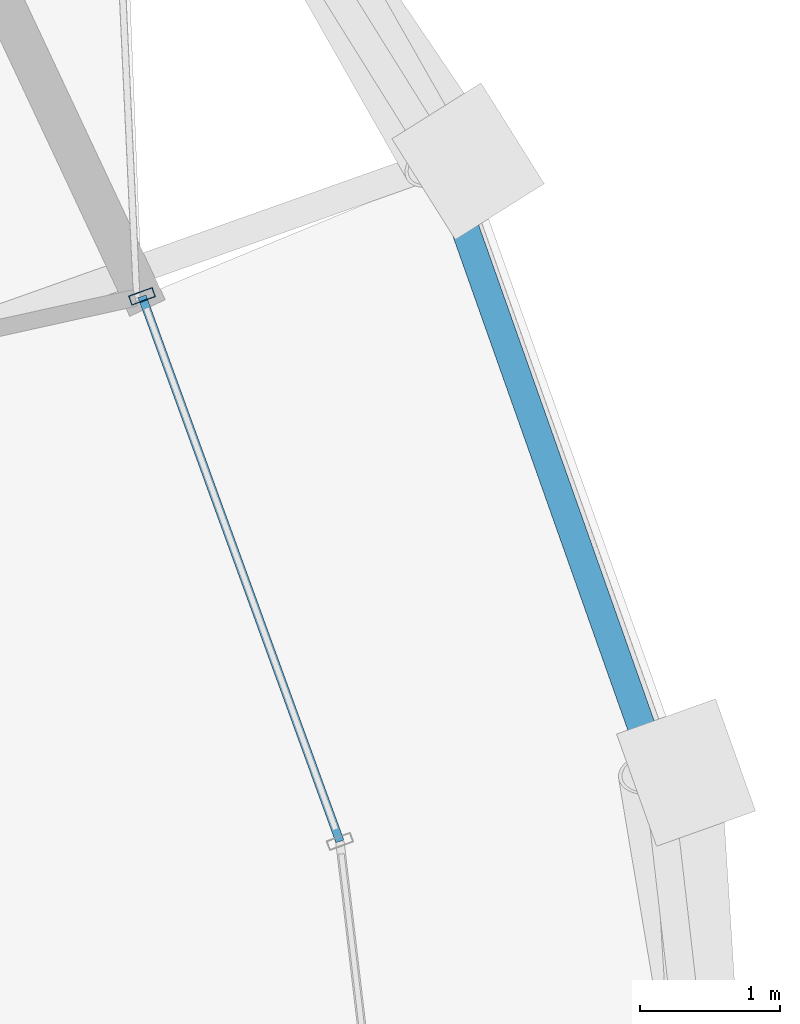
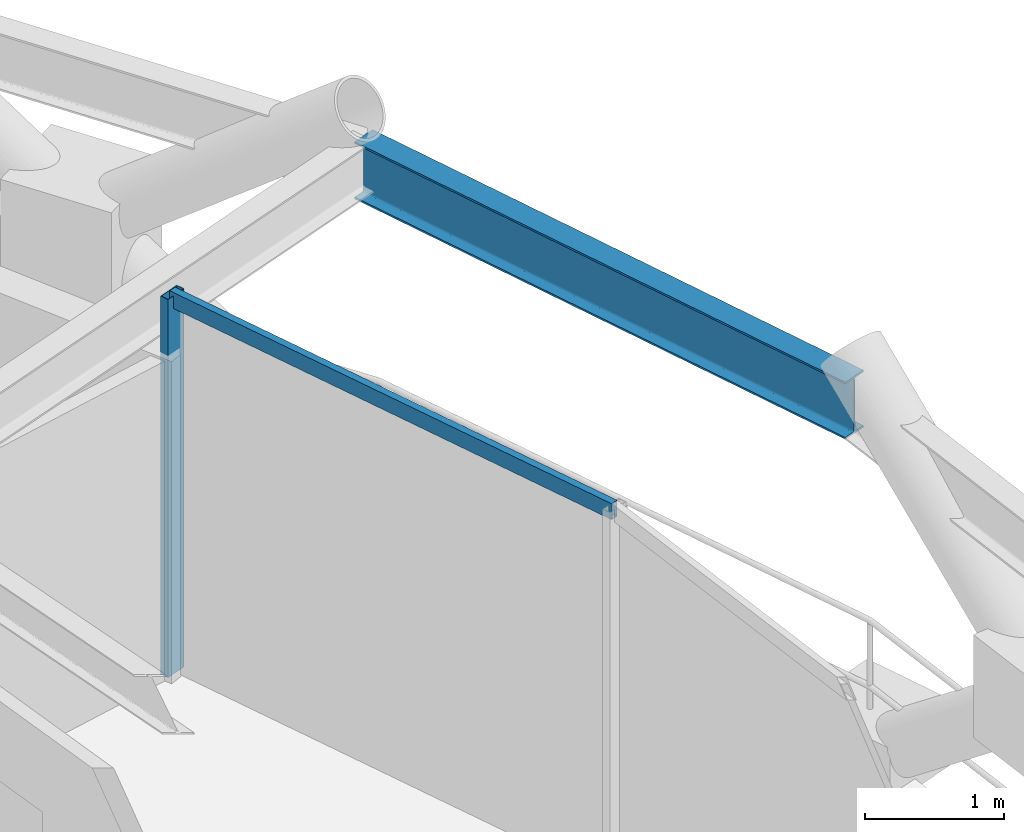
# One storey, part 9 of 16: 2 members, 1 beam, 1 element without a shape of its own.
"""IFC4 building model written with IfcOpenShell, lengths in metres."""

from ifc_helpers import new_model, si_unit, direction, frame, origin, origin_2d, place, context, subcontext, project, spatial, hollow_rectangle, i_section, extrude, material, layer, layer_set, material_profile, profile_set, type_object, element, aggregate, save


model = new_model("IFC4")

# Units and contexts
model_context = context("Model", 3, precision=1e-05, world=origin(), true_north=direction((0.0, 1.0)))
body_context = subcontext(model_context, "Body", "Model", "MODEL_VIEW")
ifc_project = project(units=[si_unit("LENGTHUNIT", "METRE"), si_unit("AREAUNIT", "SQUARE_METRE"), si_unit("VOLUMEUNIT", "CUBIC_METRE"), si_unit("PLANEANGLEUNIT", "RADIAN"), si_unit("MASSUNIT", "GRAM", prefix="KILO")], contexts=[model_context])

# Site, building, storey
site_placement = place(None, origin())
site = spatial("IfcSite", under=ifc_project, at=site_placement, CompositionType="ELEMENT")
building_placement = place(site_placement, origin())
building = spatial("IfcBuilding", under=site, at=building_placement, Name="Veldorina Hangang Commons", CompositionType="ELEMENT")
storey_placement = place(building_placement, frame((0.0, 0.0, 185.60009765625)))
storey = spatial("IfcBuildingStorey", under=building, at=storey_placement, Name="L48", CompositionType="ELEMENT", Elevation=185.60009765625)

# Beam
ifc_material_1 = material(Name="Steel SM420-TMC", Category="steel")
ifc_material_profile_1 = material_profile(ifc_material_1, i_section(OverallWidth=0.199951171875, OverallDepth=0.5, WebThickness=0.010009765625, FlangeThickness=0.01611328125, FilletRadius=0.01611328125, at=origin_2d()), Name="H-500x200x10x16")
ifc_profile_set_1 = profile_set([ifc_material_profile_1], Name="Steel SM420-TMC")
beam_type = type_object("IfcBeamType", Name="BM-RB500", PredefinedType="BEAM", material=ifc_profile_set_1)
beam_placement = place(storey_placement, frame((58.615966796875, 28.536376953125, 3.099853515625), z_axis=(-0.333741666567, 0.942664574489, 0.0), x_axis=(-0.942664574489, -0.333741666567, 0.0)))
element("IfcBeam", 1, at=beam_placement, inside=storey, type_object=beam_type, Name="L48 perimeter hoop ring beam 01", PredefinedType="BEAM", context=body_context, shape_type="SweptSolid", body=[
    extrude(i_section(OverallWidth=0.199951171875, OverallDepth=0.5, WebThickness=0.010009765625, FlangeThickness=0.01611328125, FilletRadius=0.01611328125, at=origin_2d()), origin(), (0.0, 0.0, 1.0), 4.627685546875),
])

# Curtain wall, members
ifc_material_2 = material(Name="Glass Low-E Triple IGU", Category="glass")
ifc_layer = layer(ifc_material_2, 0.179931640625)
ifc_layer_set = layer_set([ifc_layer], Name="Glass Low-E Triple IGU")
curtain_wall_type = type_object("IfcCurtainWallType", Name="CW-SYS-Z2", PredefinedType="NOTDEFINED", material=ifc_layer_set)
curtain_wall_placement = place(storey_placement, origin())
curtain_wall = element("IfcCurtainWall", 2, at=curtain_wall_placement, inside=storey, type_object=curtain_wall_type, Name="L48 unitised curtain wall CW-L48-R2", PredefinedType="NOTDEFINED")
ifc_material_3 = material(Name="Aluminium Anodized AA6063-T6", Category="aluminium")
ifc_material_profile_2 = material_profile(ifc_material_3, hollow_rectangle(XDim=0.070068359375, YDim=0.179931640625, WallThickness=0.00390625, at=origin_2d()), Name="ALU-RHS-180x70x4")
ifc_profile_set_2 = profile_set([ifc_material_profile_2], Name="Aluminium Anodized AA6063-T6")
member_type_1 = type_object("IfcMemberType", Name="CW-MUL-180", PredefinedType="MULLION", material=ifc_profile_set_2)
member_1_placement = place(storey_placement, frame((54.933837890625, 31.938232421875, 0.0), z_axis=(0.0, 0.0, 1.0), x_axis=(0.341232788347, -0.939978821121, 0.0)))
member_1 = element("IfcMember", 3, at=member_1_placement, type_object=member_type_1, Name="CW-L48-R2 vertical mullion 5", PredefinedType="MULLION", context=body_context, shape_type="SweptSolid", body=[
    extrude(hollow_rectangle(XDim=0.070068359375, YDim=0.179931640625, WallThickness=0.00390625, at=origin_2d()), origin(), (0.0, 0.0, 1.0), 3.309814453125),
])
ifc_material_profile_3 = material_profile(ifc_material_3, hollow_rectangle(XDim=0.06005859375, YDim=0.139892578125, WallThickness=0.00341796875, at=origin_2d()), Name="ALU-RHS-140x60x3.5")
ifc_profile_set_3 = profile_set([ifc_material_profile_3], Name="Aluminium Anodized AA6063-T6")
member_type_2 = type_object("IfcMemberType", Name="CW-TRN-140", PredefinedType="USERDEFINED", material=ifc_profile_set_3)
member_2_placement = place(storey_placement, frame((56.346435546875, 28.046875, 3.27001953125), z_axis=(-0.341222147506, 0.93998268391, 0.0), x_axis=(-0.93998268391, -0.341222147506, 0.0)))
member_2 = element("IfcMember", 4, at=member_2_placement, type_object=member_type_2, Name="CW-L48-R2 facet 5 transom 1", ObjectType="TRANSOM", PredefinedType="USERDEFINED", context=body_context, shape_type="SweptSolid", body=[
    extrude(hollow_rectangle(XDim=0.06005859375, YDim=0.139892578125, WallThickness=0.00341796875, at=origin_2d()), origin(), (0.0, 0.0, 1.0), 4.139892578125),
])
aggregate(curtain_wall, [member_1, member_2])

save(model, "model.ifc")
